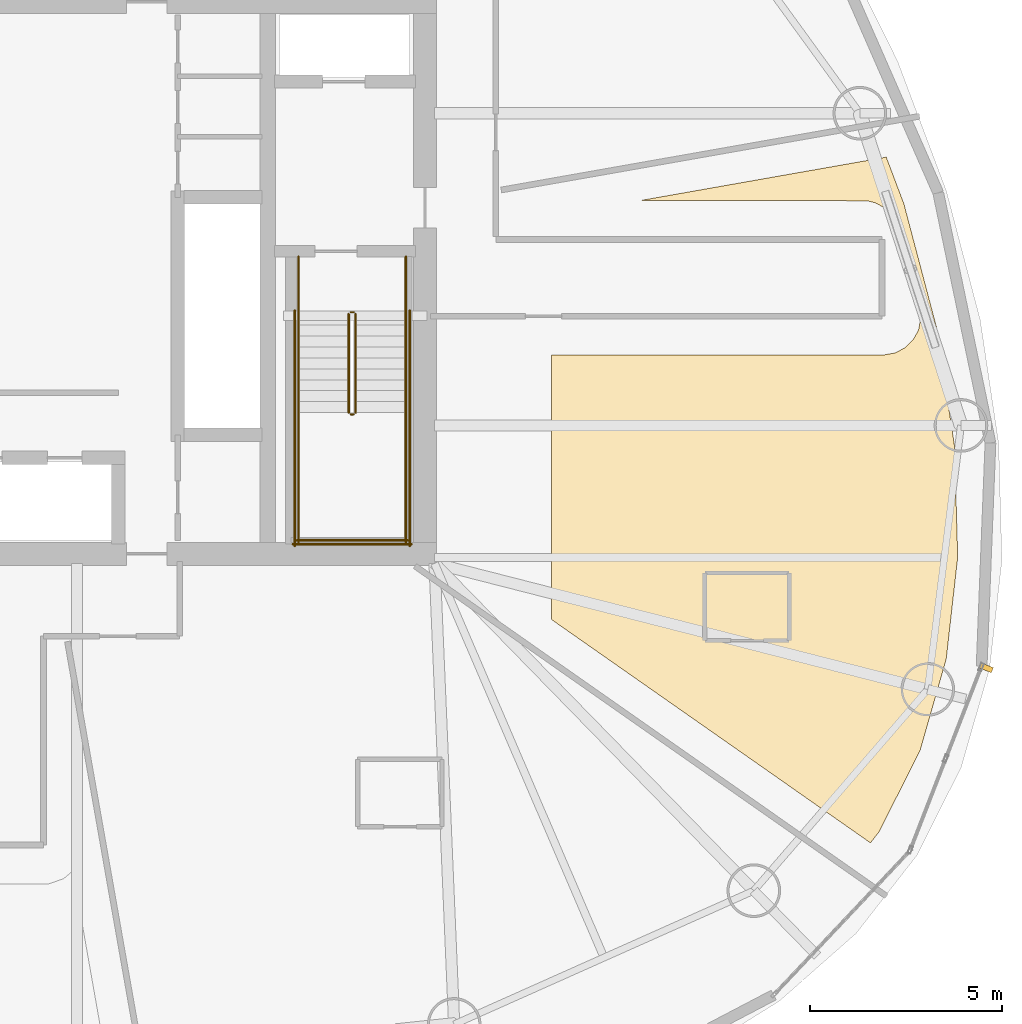
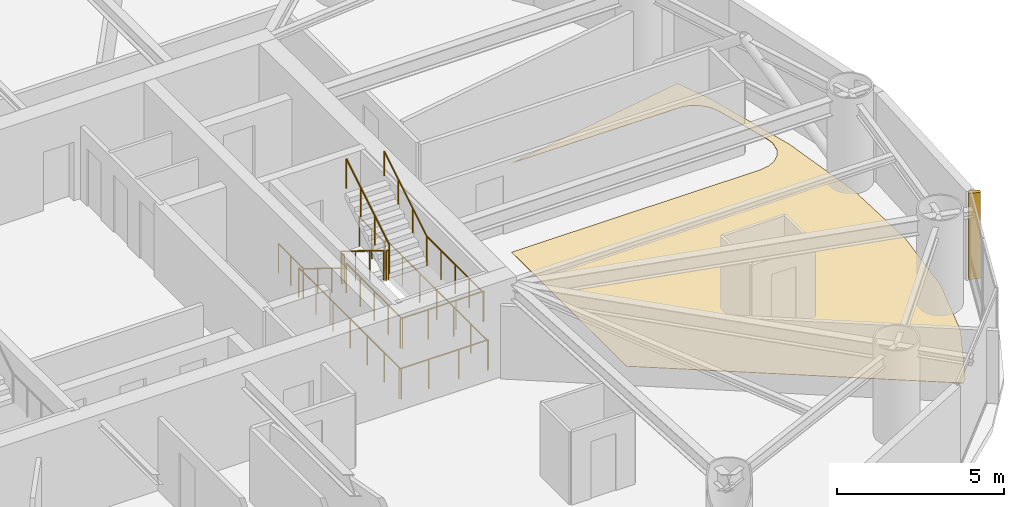
# One storey, part 22 of 23: 14 railings, 1 covering, 1 shading device.
"""IFC4 building model written with IfcOpenShell, lengths in metres."""

from ifc_helpers import new_model, si_unit, direction, frame, origin, origin_2d, place, context, subcontext, project, spatial, polyline, rectangle, circle, outline, extrude, material, layer, layer_set, type_object, element, save


model = new_model("IFC4")

# Units and contexts
model_context = context("Model", 3, precision=1e-05, world=origin(), true_north=direction((0.0, 1.0)))
body_context = subcontext(model_context, "Body", "Model", "MODEL_VIEW")
ifc_project = project(units=[si_unit("LENGTHUNIT", "METRE"), si_unit("AREAUNIT", "SQUARE_METRE"), si_unit("VOLUMEUNIT", "CUBIC_METRE"), si_unit("PLANEANGLEUNIT", "RADIAN"), si_unit("MASSUNIT", "GRAM", prefix="KILO")], contexts=[model_context])

# Site, building, storey
site_placement = place(None, origin())
site = spatial("IfcSite", under=ifc_project, at=site_placement, CompositionType="ELEMENT")
building_placement = place(site_placement, origin())
building = spatial("IfcBuilding", under=site, at=building_placement, Name="Bramvorn Convention Spire", CompositionType="ELEMENT")
storey_placement = place(building_placement, frame((0.0, 0.0, 158.800048828125)))
storey = spatial("IfcBuildingStorey", under=building, at=storey_placement, Name="L40", CompositionType="ELEMENT", Elevation=158.800048828125)

# Covering
ifc_material_1 = material(Name="Solution-Dyed Wool Broadloom Hospitality Carpet", Category="textile")
ifc_layer = layer(ifc_material_1, 0.014892578125)
ifc_layer_set = layer_set([ifc_layer], Name="Solution-Dyed Wool Broadloom Hospitality Carpet - FLR-CARPET-15")
covering_type = type_object("IfcCoveringType", Name="FLR-CARPET-15", PredefinedType="FLOORING", material=ifc_layer_set)
covering_placement = place(storey_placement, origin())
element("IfcCovering", 1, at=covering_placement, inside=storey, type_object=covering_type, Name="Hotel Suite 4008 wool broadloom carpet", PredefinedType="FLOORING", context=body_context, shape_type="SweptSolid", body=[
    extrude(outline(polyline([(60.54345703125, 28.009033203125), (60.754150390625, 27.954833984375), (61.0224609375, 27.804443359375), (61.226806640625, 27.5908203125), (61.365234375, 27.31591796875), (61.91064453125, 25.2607421875), (61.9443359375, 25.012451171875), (61.87841796875, 24.63916015625), (61.736083984375, 24.38232421875), (61.526611328125, 24.1767578125), (61.26708984375, 24.039306640625), (60.924560546875, 23.97998046875), (52.300048828125, 23.97998046875), (52.300048828125, 17.085693359375), (60.622314453125, 11.25830078125), (60.852294921875, 11.553466796875), (61.91796875, 13.673828125), (62.599609375, 16.06005859375), (62.899169921875, 18.7138671875), (62.815185546875, 21.612060546875), (62.3466796875, 24.707275390625), (61.493896484375, 27.931396484375), (61.03466796875, 29.147705078125), (54.638916015625, 28.02001953125), (60.54345703125, 28.009033203125)])), origin(), (0.0, 0.0, 1.0), 0.014892578125),
])

# Railings
ifc_material_2 = material(Name="Painted Steel Balustrade & Guardrail", Category="steel")
railing_type_1 = type_object("IfcRailingType", Name="RL-STAIR-GUARD-1100", PredefinedType="GUARDRAIL", material=ifc_material_2)
railing_1_placement = place(storey_placement, frame((47.010009765625, 25.050048828125, 0.175048828125)))
element("IfcRailing", 2, at=railing_1_placement, inside=storey, type_object=railing_type_1, Name="L40 ST2 stair guard 1", PredefinedType="GUARDRAIL", context=body_context, shape_type="SweptSolid", body=[
    extrude(circle(Radius=0.02392578125, at=origin_2d()), frame((0.0, 0.0, 1.076171875), z_axis=(0.0, -0.852173129349, 0.523259933127), x_axis=(1.0, 0.0, 0.0)), (0.0, 0.0, 1.0), 3.009765625),
    extrude(circle(Radius=0.02099609375, at=origin_2d()), origin(), (0.0, 0.0, 1.0), 1.052001953125),
    extrude(circle(Radius=0.02099609375, at=origin_2d()), frame((0.0, -0.85498046875, 0.52490234375)), (0.0, 0.0, 1.0), 1.052001953125),
    extrude(circle(Radius=0.02099609375, at=origin_2d()), frame((0.0, -1.7099609375, 1.050048828125)), (0.0, 0.0, 1.0), 1.052001953125),
    extrude(circle(Radius=0.02099609375, at=origin_2d()), frame((0.0, -2.56494140625, 1.574951171875)), (0.0, 0.0, 1.0), 1.052001953125),
])
railing_2_placement = place(storey_placement, frame((47.06005859375, 22.43505859375, 1.75)))
element("IfcRailing", 3, at=railing_2_placement, inside=storey, type_object=railing_type_1, Name="L40 ST2 stair guard 2", PredefinedType="GUARDRAIL", context=body_context, shape_type="SweptSolid", body=[
    extrude(circle(Radius=0.02392578125, at=origin_2d()), frame((0.0, 0.0, 1.076171875), z_axis=(1.0, 0.0, 0.0), x_axis=(0.0, 1.0, 0.0)), (0.0, 0.0, 1.0), 0.079833984375),
    extrude(circle(Radius=0.02099609375, at=origin_2d()), origin(), (0.0, 0.0, 1.0), 1.052001953125),
    extrude(circle(Radius=0.02099609375, at=origin_2d()), frame((0.079833984375, 0.0, 0.0)), (0.0, 0.0, 1.0), 1.052001953125),
])
for number, where, name in (
    (4, (45.699951171875, 22.485107421875, 1.75), "L40 ST2 stair guard 3"),
    (5, (48.5, 22.485107421875, 1.75), "L40 ST2 stair guard 4"),
):
    element("IfcRailing", number, at=place(storey_placement, frame(where)), inside=storey, type_object=railing_type_1, Name=name, PredefinedType="GUARDRAIL", context=body_context, shape_type="SweptSolid", body=[
        extrude(circle(Radius=0.02392578125, at=origin_2d()), frame((0.0, 0.0, 1.076171875), z_axis=(0.0, -1.0, 0.0), x_axis=(1.0, 0.0, 0.0)), (0.0, 0.0, 1.0), 3.385009765625),
        extrude(circle(Radius=0.02099609375, at=origin_2d()), origin(), (0.0, 0.0, 1.0), 1.052001953125),
        extrude(circle(Radius=0.02099609375, at=origin_2d()), frame((0.0, -0.84619140625, 0.0)), (0.0, 0.0, 1.0), 1.052001953125),
        extrude(circle(Radius=0.02099609375, at=origin_2d()), frame((0.0, -1.6923828125, 0.0)), (0.0, 0.0, 1.0), 1.052001953125),
        extrude(circle(Radius=0.02099609375, at=origin_2d()), frame((0.0, -2.538818359375, 0.0)), (0.0, 0.0, 1.0), 1.052001953125),
        extrude(circle(Radius=0.02099609375, at=origin_2d()), frame((0.0, -3.385009765625, 0.0)), (0.0, 0.0, 1.0), 1.052001953125),
    ])
railing_3_placement = place(storey_placement, frame((45.64990234375, 19.14990234375, 1.75)))
element("IfcRailing", 6, at=railing_3_placement, inside=storey, type_object=railing_type_1, Name="L40 ST2 stair guard 5", PredefinedType="GUARDRAIL", context=body_context, shape_type="SweptSolid", body=[
    extrude(circle(Radius=0.02392578125, at=origin_2d()), frame((0.0, 0.0, 1.076171875), z_axis=(1.0, 0.0, 0.0), x_axis=(0.0, 1.0, 0.0)), (0.0, 0.0, 1.0), 2.900146484375),
    extrude(circle(Radius=0.02099609375, at=origin_2d()), origin(), (0.0, 0.0, 1.0), 1.052001953125),
    extrude(circle(Radius=0.02099609375, at=origin_2d()), frame((0.966796875, 0.0, 0.0)), (0.0, 0.0, 1.0), 1.052001953125),
    extrude(circle(Radius=0.02099609375, at=origin_2d()), frame((1.933349609375, 0.0, 0.0)), (0.0, 0.0, 1.0), 1.052001953125),
    extrude(circle(Radius=0.02099609375, at=origin_2d()), frame((2.900146484375, 0.0, 0.0)), (0.0, 0.0, 1.0), 1.052001953125),
])
railing_4_placement = place(storey_placement, frame((47.18994140625, 22.485107421875, 1.925048828125)))
element("IfcRailing", 7, at=railing_4_placement, inside=storey, type_object=railing_type_1, Name="L40 ST2 stair guard 6", PredefinedType="GUARDRAIL", context=body_context, shape_type="SweptSolid", body=[
    extrude(circle(Radius=0.02392578125, at=origin_2d()), frame((0.0, 0.0, 1.076171875), z_axis=(0.0, 0.852173129349, 0.523259933127), x_axis=(-1.0, 0.0, 0.0)), (0.0, 0.0, 1.0), 3.009765625),
    extrude(circle(Radius=0.02099609375, at=origin_2d()), origin(), (0.0, 0.0, 1.0), 1.052001953125),
    extrude(circle(Radius=0.02099609375, at=origin_2d()), frame((0.0, 0.85498046875, 0.52490234375)), (0.0, 0.0, 1.0), 1.052001953125),
    extrude(circle(Radius=0.02099609375, at=origin_2d()), frame((0.0, 1.7099609375, 1.050048828125)), (0.0, 0.0, 1.0), 1.052001953125),
    extrude(circle(Radius=0.02099609375, at=origin_2d()), frame((0.0, 2.56494140625, 1.574951171875)), (0.0, 0.0, 1.0), 1.052001953125),
])
railing_5_placement = place(storey_placement, frame((47.06005859375, 25.10009765625, 0.0)))
element("IfcRailing", 8, at=railing_5_placement, inside=storey, type_object=railing_type_1, Name="L40 ST2 stair guard 7", PredefinedType="GUARDRAIL", context=body_context, shape_type="SweptSolid", body=[
    extrude(circle(Radius=0.02392578125, at=origin_2d()), frame((0.0, 0.0, 1.076171875), z_axis=(1.0, 0.0, 0.0), x_axis=(0.0, 1.0, 0.0)), (0.0, 0.0, 1.0), 0.079833984375),
    extrude(circle(Radius=0.02099609375, at=origin_2d()), origin(), (0.0, 0.0, 1.0), 1.052001953125),
    extrude(circle(Radius=0.02099609375, at=origin_2d()), frame((0.079833984375, 0.0, 0.0)), (0.0, 0.0, 1.0), 1.052001953125),
])
for number, where, name in (
    (9, (45.699951171875, 26.550048828125, 0.0), "L40 ST2 stair guard 8"),
    (10, (48.5, 26.550048828125, 0.0), "L40 ST2 stair guard 9"),
):
    element("IfcRailing", number, at=place(storey_placement, frame(where)), inside=storey, type_object=railing_type_1, Name=name, PredefinedType="GUARDRAIL", context=body_context, shape_type="SweptSolid", body=[
        extrude(circle(Radius=0.02392578125, at=origin_2d()), frame((0.0, 0.0, 1.076171875), z_axis=(0.0, -1.0, 0.0), x_axis=(1.0, 0.0, 0.0)), (0.0, 0.0, 1.0), 1.5),
        extrude(circle(Radius=0.02099609375, at=origin_2d()), origin(), (0.0, 0.0, 1.0), 1.052001953125),
        extrude(circle(Radius=0.02099609375, at=origin_2d()), frame((0.0, -0.75, 0.0)), (0.0, 0.0, 1.0), 1.052001953125),
        extrude(circle(Radius=0.02099609375, at=origin_2d()), frame((0.0, -1.5, 0.0)), (0.0, 0.0, 1.0), 1.052001953125),
    ])
for number, where, name in (
    (11, (45.60009765625, 25.14990234375, 0.0), "L40 ST2 stair guard 10"),
    (12, (48.60009765625, 25.14990234375, 0.0), "L40 ST2 stair guard 11"),
):
    element("IfcRailing", number, at=place(storey_placement, frame(where)), inside=storey, type_object=railing_type_1, Name=name, PredefinedType="GUARDRAIL", context=body_context, shape_type="SweptSolid", body=[
        extrude(circle(Radius=0.02392578125, at=origin_2d()), frame((0.0, 0.0, 1.076171875), z_axis=(0.0, -1.0, 0.0), x_axis=(1.0, 0.0, 0.0)), (0.0, 0.0, 1.0), 6.14990234375),
        extrude(circle(Radius=0.02099609375, at=origin_2d()), origin(), (0.0, 0.0, 1.0), 1.052001953125),
        extrude(circle(Radius=0.02099609375, at=origin_2d()), frame((0.0, -1.02490234375, 0.0)), (0.0, 0.0, 1.0), 1.052001953125),
        extrude(circle(Radius=0.02099609375, at=origin_2d()), frame((0.0, -2.050048828125, 0.0)), (0.0, 0.0, 1.0), 1.052001953125),
        extrude(circle(Radius=0.02099609375, at=origin_2d()), frame((0.0, -3.074951171875, 0.0)), (0.0, 0.0, 1.0), 1.052001953125),
        extrude(circle(Radius=0.02099609375, at=origin_2d()), frame((0.0, -4.099853515625, 0.0)), (0.0, 0.0, 1.0), 1.052001953125),
        extrude(circle(Radius=0.02099609375, at=origin_2d()), frame((0.0, -5.125, 0.0)), (0.0, 0.0, 1.0), 1.052001953125),
        extrude(circle(Radius=0.02099609375, at=origin_2d()), frame((0.0, -6.14990234375, 0.0)), (0.0, 0.0, 1.0), 1.052001953125),
    ])
railing_6_placement = place(storey_placement, frame((45.550048828125, 19.050048828125, 0.0)))
element("IfcRailing", 13, at=railing_6_placement, inside=storey, type_object=railing_type_1, Name="L40 ST2 stair guard 12", PredefinedType="GUARDRAIL", context=body_context, shape_type="SweptSolid", body=[
    extrude(circle(Radius=0.02392578125, at=origin_2d()), frame((0.0, 0.0, 1.076171875), z_axis=(1.0, 0.0, 0.0), x_axis=(0.0, 1.0, 0.0)), (0.0, 0.0, 1.0), 3.099853515625),
    extrude(circle(Radius=0.02099609375, at=origin_2d()), origin(), (0.0, 0.0, 1.0), 1.052001953125),
    extrude(circle(Radius=0.02099609375, at=origin_2d()), frame((1.033203125, 0.0, 0.0)), (0.0, 0.0, 1.0), 1.052001953125),
    extrude(circle(Radius=0.02099609375, at=origin_2d()), frame((2.066650390625, 0.0, 0.0)), (0.0, 0.0, 1.0), 1.052001953125),
    extrude(circle(Radius=0.02099609375, at=origin_2d()), frame((3.099853515625, 0.0, 0.0)), (0.0, 0.0, 1.0), 1.052001953125),
])
ifc_material_3 = material(Name="Brushed Bronze Tubular Handrail", Category="aluminium")
railing_type_2 = type_object("IfcRailingType", Name="RL-STAIR-HR-920", PredefinedType="HANDRAIL", material=ifc_material_3)
railing_7_placement = place(storey_placement, frame((45.699951171875, 25.050048828125, 0.175048828125)))
element("IfcRailing", 14, at=railing_7_placement, inside=storey, type_object=railing_type_2, Name="L40 ST2 stair handrail 1", PredefinedType="HANDRAIL", context=body_context, shape_type="SweptSolid", body=[
    extrude(circle(Radius=0.02392578125, at=origin_2d()), frame((0.0, 0.0, 0.89599609375), z_axis=(0.0, -0.852173129349, 0.523259933127), x_axis=(1.0, 0.0, 0.0)), (0.0, 0.0, 1.0), 3.009765625),
    extrude(circle(Radius=0.02099609375, at=origin_2d()), origin(), (0.0, 0.0, 1.0), 0.871826171875),
    extrude(circle(Radius=0.02099609375, at=origin_2d()), frame((0.0, -0.85498046875, 0.52490234375)), (0.0, 0.0, 1.0), 0.871826171875),
    extrude(circle(Radius=0.02099609375, at=origin_2d()), frame((0.0, -1.7099609375, 1.050048828125)), (0.0, 0.0, 1.0), 0.871826171875),
    extrude(circle(Radius=0.02099609375, at=origin_2d()), frame((0.0, -2.56494140625, 1.574951171875)), (0.0, 0.0, 1.0), 0.871826171875),
])
railing_8_placement = place(storey_placement, frame((48.5, 22.485107421875, 1.925048828125)))
element("IfcRailing", 15, at=railing_8_placement, inside=storey, type_object=railing_type_2, Name="L40 ST2 stair handrail 2", PredefinedType="HANDRAIL", context=body_context, shape_type="SweptSolid", body=[
    extrude(circle(Radius=0.02392578125, at=origin_2d()), frame((0.0, 0.0, 0.89599609375), z_axis=(0.0, 0.852173129349, 0.523259933127), x_axis=(-1.0, 0.0, 0.0)), (0.0, 0.0, 1.0), 3.009765625),
    extrude(circle(Radius=0.02099609375, at=origin_2d()), origin(), (0.0, 0.0, 1.0), 0.871826171875),
    extrude(circle(Radius=0.02099609375, at=origin_2d()), frame((0.0, 0.85498046875, 0.52490234375)), (0.0, 0.0, 1.0), 0.871826171875),
    extrude(circle(Radius=0.02099609375, at=origin_2d()), frame((0.0, 1.7099609375, 1.050048828125)), (0.0, 0.0, 1.0), 0.871826171875),
    extrude(circle(Radius=0.02099609375, at=origin_2d()), frame((0.0, 2.56494140625, 1.574951171875)), (0.0, 0.0, 1.0), 0.871826171875),
])

# Shading device
ifc_material_4 = material(Name="Extruded Champagne Bronze Aluminium Lancet Fin", Category="aluminium")
shading_device_type = type_object("IfcShadingDeviceType", Name="SHD-FIN-LANCET", PredefinedType="SHUTTER", material=ifc_material_4)
shading_device_placement = place(storey_placement, frame((63.635009765625, 15.827880859375, 0.0498046875), z_axis=(0.0, 0.0, 1.0), x_axis=(0.929498618329, -0.36882559364, 0.0)))
element("IfcShadingDevice", 16, at=shading_device_placement, inside=storey, type_object=shading_device_type, Name="L40 Gothic bronze wind-corner fin 01", PredefinedType="SHUTTER", context=body_context, shape_type="SweptSolid", body=[
    extrude(rectangle(XDim=0.360107421875, YDim=0.139892578125, at=origin_2d()), origin(), (0.0, 0.0, 1.0), 3.159912109375),
])

save(model, "model.ifc")
